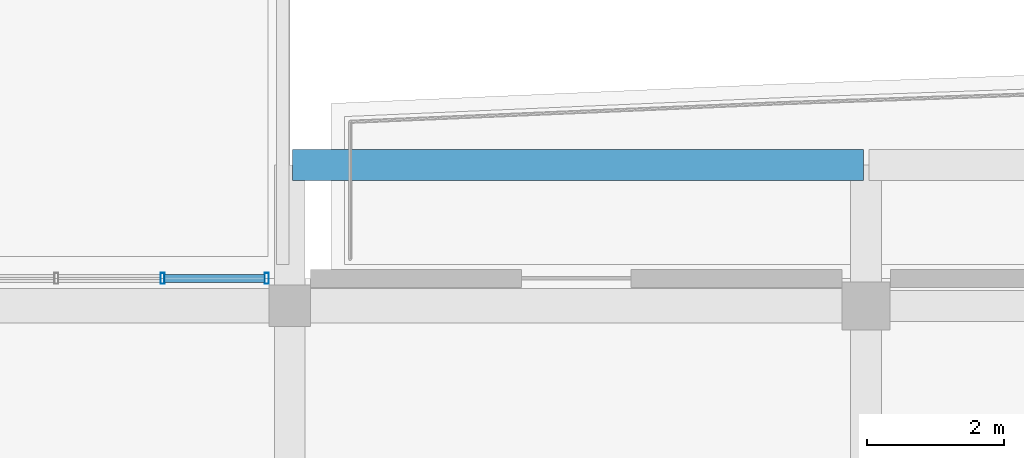
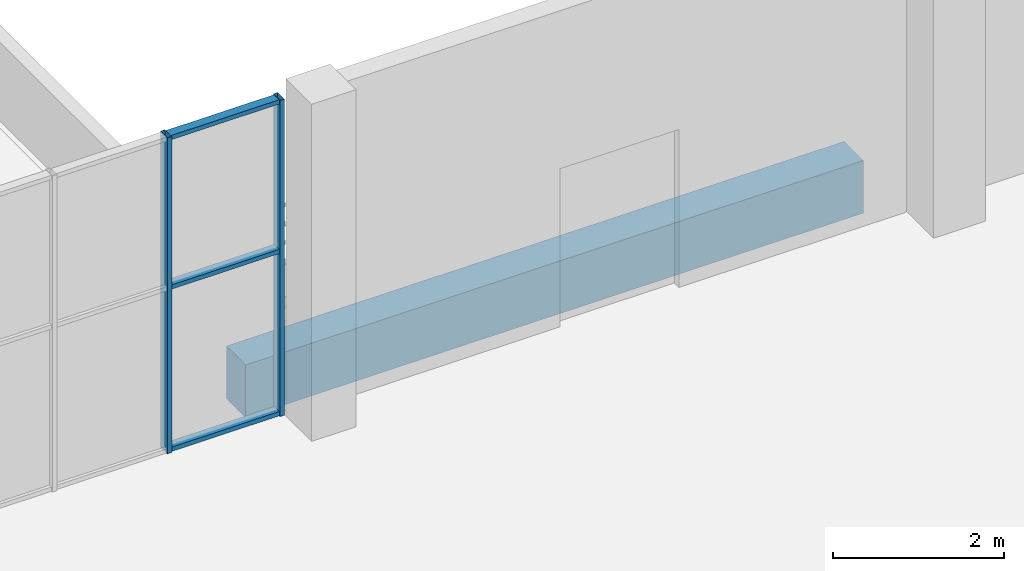
# One storey, part 11 of 80: 5 members, 1 beam, 1 element without a shape of its own.
"""IFC4 building model written with IfcOpenShell, lengths in metres."""

import ifcopenshell
import ifcopenshell.guid

model = None  # the IFC model being written
_history = None  # IfcOwnerHistory: only IFC2X3 demands one
_inside = {}  # id of a spatial element -> (the spatial element, [elements in it])
_under = {}  # id of a project, library or spatial element -> (it, [spatial elements below it])
_declared = {}  # id of a project -> (the project, [libraries it declares])
_typed = {}  # id of a type object -> (the type object, [elements of that type])
_made_of = {}  # id of a material, layer set ... -> (it, [elements and type objects made of it])


def new_model(schema):
    """Start an empty IFC model of exactly this schema.

    Asked for "IFC4X3", IfcOpenShell would pick the latest addendum, in which some entities
    have other attributes; the version numbers below select the first issue.
    IFC2X3 requires an IfcOwnerHistory on every rooted entity: one is made here for all.
    """
    global model, _history
    if schema == "IFC4X3":
        model = ifcopenshell.file(schema_version=(4, 3, 0, 0))
    else:
        model = ifcopenshell.file(schema=schema)
    _inside.clear()
    _under.clear()
    _declared.clear()
    _typed.clear()
    _made_of.clear()
    _history = None
    if model.schema == "IFC2X3":
        org = make("IfcOrganization", Name="unknown")
        user = make(
            "IfcPersonAndOrganization",
            ThePerson=make("IfcPerson", FamilyName="unknown"),
            TheOrganization=org,
        )
        app = make(
            "IfcApplication",
            ApplicationDeveloper=org,
            Version="unknown",
            ApplicationFullName="unknown",
            ApplicationIdentifier="unknown",
        )
        _history = make(
            "IfcOwnerHistory",
            OwningUser=user,
            OwningApplication=app,
            ChangeAction="ADDED",
            CreationDate=0,
        )
    return model


def make(cls, **values):
    """One entity of the class cls with the attributes given. An attribute that is None is left unset."""
    return model.create_entity(
        cls, **{name: value for name, value in values.items() if value is not None}
    )


def rooted(cls, **values):
    """An entity with a GlobalId (a new one), such as an element, a storey or a relation."""
    return make(cls, GlobalId=ifcopenshell.guid.new(), OwnerHistory=_history, **values)


def si_unit(unit_type, name, prefix=None):
    """IfcSIUnit, for example si_unit("LENGTHUNIT", "METRE", prefix="MILLI")."""
    return make("IfcSIUnit", UnitType=unit_type, Prefix=prefix, Name=name)


def assignment(units):
    """IfcUnitAssignment: the units of a project."""
    return None if units is None else make("IfcUnitAssignment", Units=units)


def point(xyz):
    """IfcCartesianPoint."""
    return None if xyz is None else make("IfcCartesianPoint", Coordinates=xyz)


def direction(xyz):
    """IfcDirection."""
    return None if xyz is None else make("IfcDirection", DirectionRatios=xyz)


def frame(location, z_axis=None, x_axis=None):
    """IfcAxis2Placement3D, a coordinate frame: its origin and axes. An axis left out is left unset."""
    return make(
        "IfcAxis2Placement3D",
        Location=point(location),
        Axis=direction(z_axis),
        RefDirection=direction(x_axis),
    )


def frame_2d(location, x_axis=None):
    """IfcAxis2Placement2D, a coordinate frame in the plane: its origin and x axis."""
    return make(
        "IfcAxis2Placement2D", Location=point(location), RefDirection=direction(x_axis)
    )


def origin():
    """The frame at (0, 0, 0) with its axes left unset."""
    return frame((0.0, 0.0, 0.0))


def origin_2d():
    """The frame at (0, 0) in the plane with its x axis left unset."""
    return frame_2d((0.0, 0.0))


def place(relative_to, where):
    """IfcLocalPlacement: puts the frame where relative to a parent placement (None: the world)."""
    return make(
        "IfcLocalPlacement", PlacementRelTo=relative_to, RelativePlacement=where
    )


def context(
    kind, dimensions, precision=None, world=None, true_north=None, identifier=None
):
    """IfcGeometricRepresentationContext, for example the 3D "Model" context."""
    return make(
        "IfcGeometricRepresentationContext",
        ContextIdentifier=identifier,
        ContextType=kind,
        CoordinateSpaceDimension=dimensions,
        Precision=precision,
        WorldCoordinateSystem=world,
        TrueNorth=true_north,
    )


def subcontext(parent, identifier, kind, view, scale=None):
    """IfcGeometricRepresentationSubContext, for example "Body" below "Model"."""
    return make(
        "IfcGeometricRepresentationSubContext",
        ContextIdentifier=identifier,
        ContextType=kind,
        ParentContext=parent,
        TargetScale=scale,
        TargetView=view,
    )


def project(units=None, contexts=None):
    """IfcProject with its units and contexts."""
    return rooted(
        "IfcProject",
        Name="project",
        RepresentationContexts=contexts,
        UnitsInContext=assignment(units),
    )


def spatial(cls, under=None, at=None, **own):
    """A site, building, storey or space (cls), placed at a placement, below another one or the project."""
    s = rooted(cls, ObjectPlacement=at, **own)
    if under is not None:
        _under.setdefault(under.id(), (under, []))[1].append(s)
    return s


def profile(cls, at=None, kind="AREA", **sizes):
    """A parametric profile (cls). Its sizes go by their IFC names, for example OverallWidth=200.0."""
    return make(cls, ProfileType=kind, Position=at, **sizes)


def rectangle(**sizes):
    """IfcRectangleProfileDef."""
    return profile("IfcRectangleProfileDef", **sizes)


def hollow_rectangle(**sizes):
    """IfcRectangleHollowProfileDef."""
    return profile("IfcRectangleHollowProfileDef", **sizes)


def extrude(swept, where, along, depth):
    """IfcExtrudedAreaSolid: the profile swept, set in the frame where, extruded along a direction by depth."""
    return make(
        "IfcExtrudedAreaSolid",
        SweptArea=swept,
        Position=where,
        ExtrudedDirection=direction(along),
        Depth=depth,
    )


def shape(context_of_items, identifier, shape_type, items):
    """IfcShapeRepresentation: the items that make up one representation, for example the "Body"."""
    return make(
        "IfcShapeRepresentation",
        ContextOfItems=context_of_items,
        RepresentationIdentifier=identifier,
        RepresentationType=shape_type,
        Items=items,
    )


def material(Name=None, Category=None):
    """IfcMaterial."""
    return make("IfcMaterial", Name=Name, Category=Category)


def material_profile(
    of_material, cross_section, Name=None, Category=None, Priority=None
):
    """IfcMaterialProfile: a cross section and its material."""
    return make(
        "IfcMaterialProfile",
        Name=Name,
        Material=of_material,
        Profile=cross_section,
        Priority=Priority,
        Category=Category,
    )


def profile_set(profiles, Name=None, composite=None):
    """IfcMaterialProfileSet."""
    return make(
        "IfcMaterialProfileSet",
        Name=Name,
        MaterialProfiles=profiles,
        CompositeProfile=composite,
    )


def made_of(thing, what):
    """Note that an element or type object is made of a material, layer set ...; save() writes the relation."""
    if what is not None:
        _made_of.setdefault(what.id(), (what, []))[1].append(thing)
    return thing


def type_object(cls, material=None, **own):
    """A type object (cls), such as IfcWallType, which elements share."""
    return made_of(rooted(cls, **own), material)


def element(
    cls,
    number,
    at=None,
    inside=None,
    cuts=None,
    type_object=None,
    material=None,
    context=None,
    identifier="Body",
    shape_type=None,
    held_by="IfcProductDefinitionShape",
    body=None,
    shapes=None,
    **own,
):
    """One element of the class cls, such as IfcWall. Its Tag is "e" and its number.

    at: its placement. inside: the storey or other place that contains it. cuts: it is an
    opening in that element (IfcRelVoidsElement). A single representation is given by context,
    identifier, shape_type and body (its items); several are given by shapes. held_by: the class
    of the entity that holds the representations. save() writes the other relations.
    """
    e = rooted(cls, Tag="e%d" % number, ObjectPlacement=at, **own)
    if body is not None:
        shapes = [shape(context, identifier, shape_type, body)]
    if shapes is not None:
        e.Representation = make(held_by, Representations=shapes)
    if inside is not None:
        _inside.setdefault(inside.id(), (inside, []))[1].append(e)
    if cuts is not None:
        rooted(
            "IfcRelVoidsElement", RelatingBuildingElement=cuts, RelatedOpeningElement=e
        )
    if type_object is not None:
        _typed.setdefault(type_object.id(), (type_object, []))[1].append(e)
    return made_of(e, material)


def aggregate(whole, parts):
    """IfcRelAggregates: a whole, such as a stair, and the parts it consists of."""
    return rooted("IfcRelAggregates", RelatingObject=whole, RelatedObjects=parts)


def save(model, path):
    """Write the relations noted so far, then the file.

    IfcRelAggregates (storeys below a building ...), IfcRelContainedInSpatialStructure (elements
    in a storey), IfcRelDefinesByType, IfcRelAssociatesMaterial and IfcRelDeclares: one each for
    every whole, place, type object, material and project.
    """
    for whole, parts in _under.values():
        aggregate(whole, parts)
    for where, things in _inside.values():
        rooted(
            "IfcRelContainedInSpatialStructure",
            RelatedElements=things,
            RelatingStructure=where,
        )
    for kind, things in _typed.values():
        rooted("IfcRelDefinesByType", RelatedObjects=things, RelatingType=kind)
    for what, things in _made_of.values():
        rooted("IfcRelAssociatesMaterial", RelatedObjects=things, RelatingMaterial=what)
    for by, libraries in _declared.values():
        rooted("IfcRelDeclares", RelatingContext=by, RelatedDefinitions=libraries)
    model.write(path)


model = new_model("IFC4")

# Units and contexts
model_context = context("Model", 3, precision=1e-05, world=origin(), true_north=direction((0.0, 1.0)))
body_context = subcontext(model_context, "Body", "Model", "MODEL_VIEW")
ifc_project = project(units=[si_unit("LENGTHUNIT", "METRE"), si_unit("AREAUNIT", "SQUARE_METRE"), si_unit("VOLUMEUNIT", "CUBIC_METRE"), si_unit("PLANEANGLEUNIT", "RADIAN"), si_unit("MASSUNIT", "GRAM", prefix="KILO")], contexts=[model_context])

# Site, building, storey
site_placement = place(None, origin())
site = spatial("IfcSite", under=ifc_project, at=site_placement, CompositionType="ELEMENT")
building_placement = place(site_placement, origin())
building = spatial("IfcBuilding", under=site, at=building_placement, Name="Khurvash Pelagic Aquarium", CompositionType="ELEMENT")
storey_placement = place(building_placement, frame((0.0, 0.0, 10.800048828125)))
storey = spatial("IfcBuildingStorey", under=building, at=storey_placement, Name="L02", CompositionType="ELEMENT", Elevation=10.800048828125)

# Beam
ifc_material_1 = material(Name="Concrete C35/45", Category="concrete")
ifc_material_profile_1 = material_profile(ifc_material_1, rectangle(XDim=0.449951171875, YDim=0.75, at=origin_2d()), Name="RC450X750")
ifc_profile_set_1 = profile_set([ifc_material_profile_1], Name="Concrete C35/45")
beam_type = type_object("IfcBeamType", Name="BM-04", PredefinedType="BEAM", material=ifc_profile_set_1)
beam_placement = place(storey_placement, frame((33.639892578125, 31.800048828125, -0.695068359375), z_axis=(1.0, 0.0, 0.0), x_axis=(0.0, 1.0, 0.0)))
element("IfcBeam", 1, at=beam_placement, inside=storey, type_object=beam_type, Name="L02 Terrace Edge Trimmer Beam BM-04", PredefinedType="BEAM", context=body_context, shape_type="SweptSolid", body=[
    extrude(rectangle(XDim=0.449951171875, YDim=0.75, at=origin_2d()), origin(), (0.0, 0.0, 1.0), 8.320068359375),
])

# Curtain wall, members
ifc_material_2 = material(Name="Anodised aluminium and low-E laminated glass", Category="aluminium")
curtain_wall_type = type_object("IfcCurtainWallType", Name="CW-06", PredefinedType="USERDEFINED", material=ifc_material_2)
curtain_wall_placement = place(storey_placement, origin())
curtain_wall = element("IfcCurtainWall", 2, at=curtain_wall_placement, inside=storey, type_object=curtain_wall_type, Name="L02 Facade Unitised Curtain Wall CW-06 0160", ObjectType="UNITISED CURTAIN WALL", PredefinedType="USERDEFINED")
ifc_material_3 = material(Name="Extruded aluminium AW-6063-T6", Category="aluminium")
ifc_material_profile_2 = material_profile(ifc_material_3, hollow_rectangle(XDim=0.06005859375, YDim=0.159912109375, WallThickness=0.00390625, at=origin_2d()), Name="CWM60X160X4")
ifc_profile_set_2 = profile_set([ifc_material_profile_2], Name="Extruded aluminium AW-6063-T6")
member_type_1 = type_object("IfcMemberType", Name="CM-02", PredefinedType="MULLION", material=ifc_profile_set_2)
member_1_placement = place(storey_placement, frame((33.264892578125, 30.14990234375, 0.0), z_axis=(0.0, 0.0, 1.0), x_axis=(-1.0, 0.0, 0.0)))
member_1 = element("IfcMember", 3, at=member_1_placement, type_object=member_type_1, Name="CW-06 mullion 1", PredefinedType="MULLION", context=body_context, shape_type="SweptSolid", body=[
    extrude(hollow_rectangle(XDim=0.06005859375, YDim=0.159912109375, WallThickness=0.00390625, at=origin_2d()), origin(), (0.0, 0.0, 1.0), 4.5),
])
member_2_placement = place(storey_placement, frame((31.7470703125, 30.14990234375, 0.0), z_axis=(0.0, 0.0, 1.0), x_axis=(-1.0, 0.0, 0.0)))
member_2 = element("IfcMember", 4, at=member_2_placement, type_object=member_type_1, Name="CW-06 mullion 2", PredefinedType="MULLION", context=body_context, shape_type="SweptSolid", body=[
    extrude(hollow_rectangle(XDim=0.06005859375, YDim=0.159912109375, WallThickness=0.00390625, at=origin_2d()), origin(), (0.0, 0.0, 1.0), 4.5),
])
ifc_material_profile_3 = material_profile(ifc_material_3, hollow_rectangle(XDim=0.1201171875, YDim=0.06005859375, WallThickness=0.00390625, at=origin_2d()), Name="CWT120X60X4")
ifc_profile_set_3 = profile_set([ifc_material_profile_3], Name="Extruded aluminium AW-6063-T6")
member_type_2 = type_object("IfcMemberType", Name="CT-02", PredefinedType="USERDEFINED", material=ifc_profile_set_3)
member_3_placement = place(storey_placement, frame((33.235107421875, 30.14990234375, 0.030029296875), z_axis=(-1.0, 0.0, 0.0), x_axis=(0.0, -1.0, 0.0)))
member_3 = element("IfcMember", 5, at=member_3_placement, type_object=member_type_2, Name="CW-06 transom 1.1", ObjectType="TRANSOM", PredefinedType="USERDEFINED", context=body_context, shape_type="SweptSolid", body=[
    extrude(hollow_rectangle(XDim=0.1201171875, YDim=0.06005859375, WallThickness=0.00390625, at=origin_2d()), origin(), (0.0, 0.0, 1.0), 1.4580078125),
])
member_4_placement = place(storey_placement, frame((33.235107421875, 30.14990234375, 2.33984375), z_axis=(-1.0, 0.0, 0.0), x_axis=(0.0, -1.0, 0.0)))
member_4 = element("IfcMember", 6, at=member_4_placement, type_object=member_type_2, Name="CW-06 transom 1.2", ObjectType="TRANSOM", PredefinedType="USERDEFINED", context=body_context, shape_type="SweptSolid", body=[
    extrude(hollow_rectangle(XDim=0.1201171875, YDim=0.06005859375, WallThickness=0.00390625, at=origin_2d()), origin(), (0.0, 0.0, 1.0), 1.4580078125),
])
member_5_placement = place(storey_placement, frame((33.235107421875, 30.14990234375, 4.469970703125), z_axis=(-1.0, 0.0, 0.0), x_axis=(0.0, -1.0, 0.0)))
member_5 = element("IfcMember", 7, at=member_5_placement, type_object=member_type_2, Name="CW-06 transom 1.3", ObjectType="TRANSOM", PredefinedType="USERDEFINED", context=body_context, shape_type="SweptSolid", body=[
    extrude(hollow_rectangle(XDim=0.1201171875, YDim=0.06005859375, WallThickness=0.00390625, at=origin_2d()), origin(), (0.0, 0.0, 1.0), 1.4580078125),
])
aggregate(curtain_wall, [member_1, member_2, member_3, member_4, member_5])

save(model, "model.ifc")
